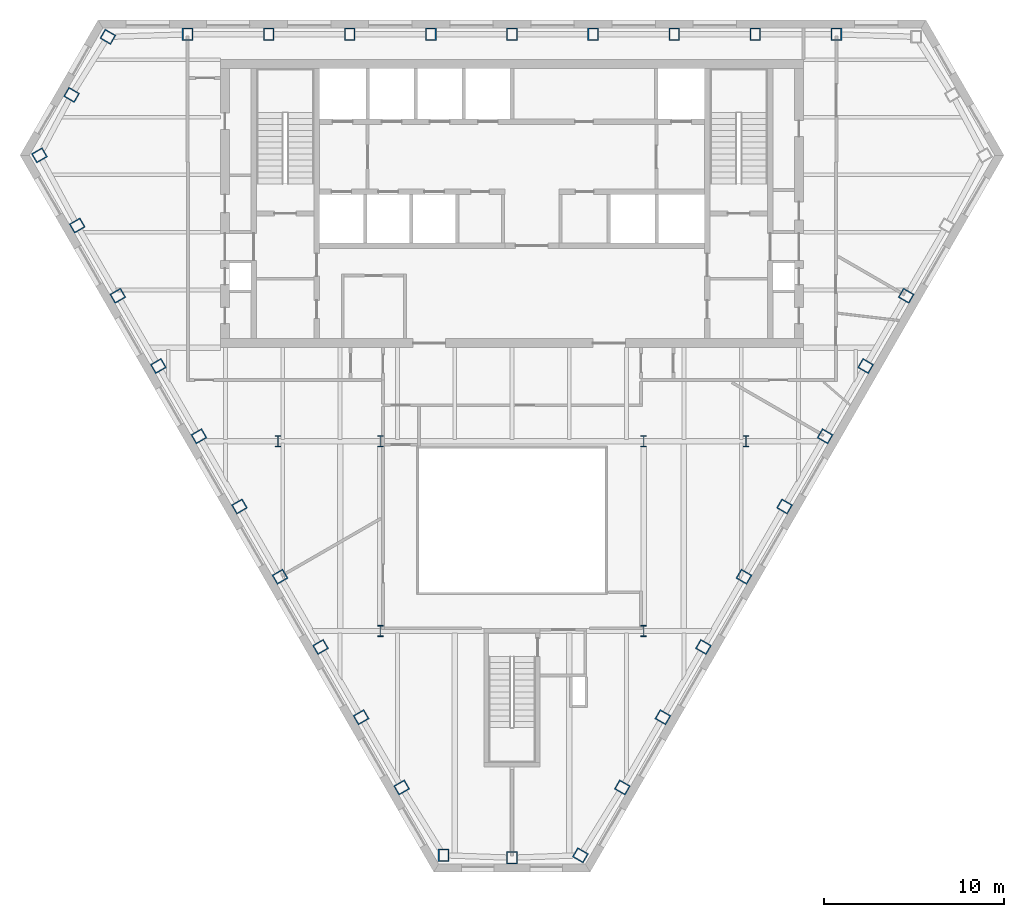
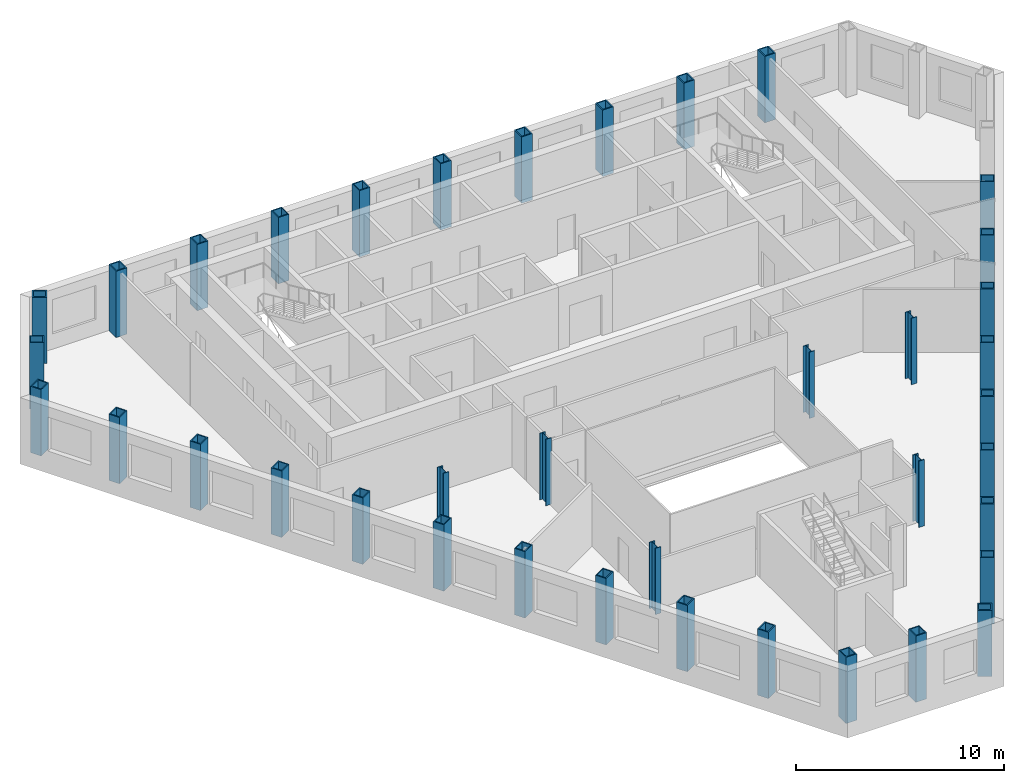
# One storey, part 1 of 10: 38 columns.
"""IFC4 building model written with IfcOpenShell, lengths in metres."""

import ifcopenshell
import ifcopenshell.guid

model = None  # the IFC model being written
_history = None  # IfcOwnerHistory: only IFC2X3 demands one
_inside = {}  # id of a spatial element -> (the spatial element, [elements in it])
_under = {}  # id of a project, library or spatial element -> (it, [spatial elements below it])
_declared = {}  # id of a project -> (the project, [libraries it declares])
_typed = {}  # id of a type object -> (the type object, [elements of that type])
_made_of = {}  # id of a material, layer set ... -> (it, [elements and type objects made of it])


def new_model(schema):
    """Start an empty IFC model of exactly this schema.

    Asked for "IFC4X3", IfcOpenShell would pick the latest addendum, in which some entities
    have other attributes; the version numbers below select the first issue.
    IFC2X3 requires an IfcOwnerHistory on every rooted entity: one is made here for all.
    """
    global model, _history
    if schema == "IFC4X3":
        model = ifcopenshell.file(schema_version=(4, 3, 0, 0))
    else:
        model = ifcopenshell.file(schema=schema)
    _inside.clear()
    _under.clear()
    _declared.clear()
    _typed.clear()
    _made_of.clear()
    _history = None
    if model.schema == "IFC2X3":
        org = make("IfcOrganization", Name="unknown")
        user = make(
            "IfcPersonAndOrganization",
            ThePerson=make("IfcPerson", FamilyName="unknown"),
            TheOrganization=org,
        )
        app = make(
            "IfcApplication",
            ApplicationDeveloper=org,
            Version="unknown",
            ApplicationFullName="unknown",
            ApplicationIdentifier="unknown",
        )
        _history = make(
            "IfcOwnerHistory",
            OwningUser=user,
            OwningApplication=app,
            ChangeAction="ADDED",
            CreationDate=0,
        )
    return model


def make(cls, **values):
    """One entity of the class cls with the attributes given. An attribute that is None is left unset."""
    return model.create_entity(
        cls, **{name: value for name, value in values.items() if value is not None}
    )


def rooted(cls, **values):
    """An entity with a GlobalId (a new one), such as an element, a storey or a relation."""
    return make(cls, GlobalId=ifcopenshell.guid.new(), OwnerHistory=_history, **values)


def si_unit(unit_type, name, prefix=None):
    """IfcSIUnit, for example si_unit("LENGTHUNIT", "METRE", prefix="MILLI")."""
    return make("IfcSIUnit", UnitType=unit_type, Prefix=prefix, Name=name)


def assignment(units):
    """IfcUnitAssignment: the units of a project."""
    return None if units is None else make("IfcUnitAssignment", Units=units)


def point(xyz):
    """IfcCartesianPoint."""
    return None if xyz is None else make("IfcCartesianPoint", Coordinates=xyz)


def direction(xyz):
    """IfcDirection."""
    return None if xyz is None else make("IfcDirection", DirectionRatios=xyz)


def frame(location, z_axis=None, x_axis=None):
    """IfcAxis2Placement3D, a coordinate frame: its origin and axes. An axis left out is left unset."""
    return make(
        "IfcAxis2Placement3D",
        Location=point(location),
        Axis=direction(z_axis),
        RefDirection=direction(x_axis),
    )


def frame_2d(location, x_axis=None):
    """IfcAxis2Placement2D, a coordinate frame in the plane: its origin and x axis."""
    return make(
        "IfcAxis2Placement2D", Location=point(location), RefDirection=direction(x_axis)
    )


def origin():
    """The frame at (0, 0, 0) with its axes left unset."""
    return frame((0.0, 0.0, 0.0))


def origin_2d():
    """The frame at (0, 0) in the plane with its x axis left unset."""
    return frame_2d((0.0, 0.0))


def place(relative_to, where):
    """IfcLocalPlacement: puts the frame where relative to a parent placement (None: the world)."""
    return make(
        "IfcLocalPlacement", PlacementRelTo=relative_to, RelativePlacement=where
    )


def context(
    kind, dimensions, precision=None, world=None, true_north=None, identifier=None
):
    """IfcGeometricRepresentationContext, for example the 3D "Model" context."""
    return make(
        "IfcGeometricRepresentationContext",
        ContextIdentifier=identifier,
        ContextType=kind,
        CoordinateSpaceDimension=dimensions,
        Precision=precision,
        WorldCoordinateSystem=world,
        TrueNorth=true_north,
    )


def subcontext(parent, identifier, kind, view, scale=None):
    """IfcGeometricRepresentationSubContext, for example "Body" below "Model"."""
    return make(
        "IfcGeometricRepresentationSubContext",
        ContextIdentifier=identifier,
        ContextType=kind,
        ParentContext=parent,
        TargetScale=scale,
        TargetView=view,
    )


def project(units=None, contexts=None):
    """IfcProject with its units and contexts."""
    return rooted(
        "IfcProject",
        Name="project",
        RepresentationContexts=contexts,
        UnitsInContext=assignment(units),
    )


def spatial(cls, under=None, at=None, **own):
    """A site, building, storey or space (cls), placed at a placement, below another one or the project."""
    s = rooted(cls, ObjectPlacement=at, **own)
    if under is not None:
        _under.setdefault(under.id(), (under, []))[1].append(s)
    return s


def profile(cls, at=None, kind="AREA", **sizes):
    """A parametric profile (cls). Its sizes go by their IFC names, for example OverallWidth=200.0."""
    return make(cls, ProfileType=kind, Position=at, **sizes)


def hollow_rectangle(**sizes):
    """IfcRectangleHollowProfileDef."""
    return profile("IfcRectangleHollowProfileDef", **sizes)


def i_section(**sizes):
    """IfcIShapeProfileDef."""
    return profile("IfcIShapeProfileDef", **sizes)


def extrude(swept, where, along, depth):
    """IfcExtrudedAreaSolid: the profile swept, set in the frame where, extruded along a direction by depth."""
    return make(
        "IfcExtrudedAreaSolid",
        SweptArea=swept,
        Position=where,
        ExtrudedDirection=direction(along),
        Depth=depth,
    )


def shape(context_of_items, identifier, shape_type, items):
    """IfcShapeRepresentation: the items that make up one representation, for example the "Body"."""
    return make(
        "IfcShapeRepresentation",
        ContextOfItems=context_of_items,
        RepresentationIdentifier=identifier,
        RepresentationType=shape_type,
        Items=items,
    )


def material(Name=None, Category=None):
    """IfcMaterial."""
    return make("IfcMaterial", Name=Name, Category=Category)


def material_profile(
    of_material, cross_section, Name=None, Category=None, Priority=None
):
    """IfcMaterialProfile: a cross section and its material."""
    return make(
        "IfcMaterialProfile",
        Name=Name,
        Material=of_material,
        Profile=cross_section,
        Priority=Priority,
        Category=Category,
    )


def profile_set(profiles, Name=None, composite=None):
    """IfcMaterialProfileSet."""
    return make(
        "IfcMaterialProfileSet",
        Name=Name,
        MaterialProfiles=profiles,
        CompositeProfile=composite,
    )


def made_of(thing, what):
    """Note that an element or type object is made of a material, layer set ...; save() writes the relation."""
    if what is not None:
        _made_of.setdefault(what.id(), (what, []))[1].append(thing)
    return thing


def type_object(cls, material=None, **own):
    """A type object (cls), such as IfcWallType, which elements share."""
    return made_of(rooted(cls, **own), material)


def element(
    cls,
    number,
    at=None,
    inside=None,
    cuts=None,
    type_object=None,
    material=None,
    context=None,
    identifier="Body",
    shape_type=None,
    held_by="IfcProductDefinitionShape",
    body=None,
    shapes=None,
    **own,
):
    """One element of the class cls, such as IfcWall. Its Tag is "e" and its number.

    at: its placement. inside: the storey or other place that contains it. cuts: it is an
    opening in that element (IfcRelVoidsElement). A single representation is given by context,
    identifier, shape_type and body (its items); several are given by shapes. held_by: the class
    of the entity that holds the representations. save() writes the other relations.
    """
    e = rooted(cls, Tag="e%d" % number, ObjectPlacement=at, **own)
    if body is not None:
        shapes = [shape(context, identifier, shape_type, body)]
    if shapes is not None:
        e.Representation = make(held_by, Representations=shapes)
    if inside is not None:
        _inside.setdefault(inside.id(), (inside, []))[1].append(e)
    if cuts is not None:
        rooted(
            "IfcRelVoidsElement", RelatingBuildingElement=cuts, RelatedOpeningElement=e
        )
    if type_object is not None:
        _typed.setdefault(type_object.id(), (type_object, []))[1].append(e)
    return made_of(e, material)


def aggregate(whole, parts):
    """IfcRelAggregates: a whole, such as a stair, and the parts it consists of."""
    return rooted("IfcRelAggregates", RelatingObject=whole, RelatedObjects=parts)


def save(model, path):
    """Write the relations noted so far, then the file.

    IfcRelAggregates (storeys below a building ...), IfcRelContainedInSpatialStructure (elements
    in a storey), IfcRelDefinesByType, IfcRelAssociatesMaterial and IfcRelDeclares: one each for
    every whole, place, type object, material and project.
    """
    for whole, parts in _under.values():
        aggregate(whole, parts)
    for where, things in _inside.values():
        rooted(
            "IfcRelContainedInSpatialStructure",
            RelatedElements=things,
            RelatingStructure=where,
        )
    for kind, things in _typed.values():
        rooted("IfcRelDefinesByType", RelatedObjects=things, RelatingType=kind)
    for what, things in _made_of.values():
        rooted("IfcRelAssociatesMaterial", RelatedObjects=things, RelatingMaterial=what)
    for by, libraries in _declared.values():
        rooted("IfcRelDeclares", RelatingContext=by, RelatedDefinitions=libraries)
    model.write(path)


model = new_model("IFC4")

# Units and contexts
model_context = context("Model", 3, precision=1e-05, world=origin(), true_north=direction((0.0, 1.0)))
body_context = subcontext(model_context, "Body", "Model", "MODEL_VIEW")
ifc_project = project(units=[si_unit("LENGTHUNIT", "METRE"), si_unit("AREAUNIT", "SQUARE_METRE"), si_unit("VOLUMEUNIT", "CUBIC_METRE"), si_unit("PLANEANGLEUNIT", "RADIAN"), si_unit("MASSUNIT", "GRAM", prefix="KILO")], contexts=[model_context])

# Site, building, storey
site_placement = place(None, origin())
site = spatial("IfcSite", under=ifc_project, at=site_placement, CompositionType="ELEMENT")
building_placement = place(site_placement, origin())
building = spatial("IfcBuilding", under=site, at=building_placement, Name="Njiva Tower", CompositionType="ELEMENT")
storey_placement = place(building_placement, frame((0.0, 0.0, 155.4)))
storey = spatial("IfcBuildingStorey", under=building, at=storey_placement, Name="L33", CompositionType="ELEMENT", Elevation=155.4)

# Columns
ifc_material = material(Name="Steel S355 J2", Category="steel")
ifc_material_profile_1 = material_profile(ifc_material, i_section(OverallWidth=0.305, OverallDepth=0.62, WebThickness=0.021, FlangeThickness=0.04, at=origin_2d()), Name="HEM 600")
ifc_profile_set_1 = profile_set([ifc_material_profile_1], Name="Steel S355 J2")
column_type_1 = type_object("IfcColumnType", Name="C10 Interior column HEM 600", PredefinedType="COLUMN", material=ifc_profile_set_1)
for number, where, z_axis, x_axis, name in (
    (1, (7.32, -3.2, 0.0), (0.0, 0.0, 1.0), (1.0, 0.0, 0.0), "Interior column S11-C37"),
    (2, (-7.32, -3.2, 0.0), (0.0, 0.0, 1.0), (1.0, 0.0, 0.0), "Interior column S11-C38"),
    (3, (7.32, -13.75, 0.0), (0.0, 0.0, 1.0), (1.0, 0.0, 0.0), "Interior column S11-C39"),
    (4, (-7.32, -13.75, 0.0), (0.0, 0.0, 1.0), (1.0, 0.0, 0.0), "Interior column S11-C40"),
    (5, (13.0, -3.2, 0.0), (0.0, 0.0, 1.0), (1.0, 0.0, 0.0), "Interior column S11-C41"),
    (6, (-13.0, -3.2, 0.0), (0.0, 0.0, 1.0), (1.0, 0.0, 0.0), "Interior column S11-C42"),
):
    element("IfcColumn", number, at=place(storey_placement, frame(where, z_axis=z_axis, x_axis=x_axis)), inside=storey, type_object=column_type_1, Name=name, PredefinedType="COLUMN", context=body_context, shape_type="SweptSolid", body=[
        extrude(i_section(OverallWidth=0.305, OverallDepth=0.62, WebThickness=0.021, FlangeThickness=0.04, at=origin_2d()), origin(), (0.0, 0.0, 1.0), 3.9),
    ])
ifc_material_profile_2 = material_profile(ifc_material, hollow_rectangle(XDim=0.6, YDim=0.7, WallThickness=0.06, at=origin_2d()), Name="BOX 700x600x60")
ifc_profile_set_2 = profile_set([ifc_material_profile_2], Name="Steel S355 J2")
column_type_2 = type_object("IfcColumnType", Name="C9 Perimeter tube column BOX 700x600x60", PredefinedType="COLUMN", material=ifc_profile_set_2)
for number, where, z_axis, x_axis, name in (
    (7, (18.026, 19.4, 0.0), (0.0, 0.0, 1.0), (-1.0, 0.0, 0.0), "Perimeter tube column S11-C02"),
    (8, (13.52, 19.4, 0.0), (0.0, 0.0, 1.0), (-1.0, 0.0, 0.0), "Perimeter tube column S11-C03"),
    (9, (9.013, 19.4, 0.0), (0.0, 0.0, 1.0), (-1.0, 0.0, 0.0), "Perimeter tube column S11-C04"),
    (10, (4.507, 19.4, 0.0), (0.0, 0.0, 1.0), (-1.0, 0.0, 0.0), "Perimeter tube column S11-C05"),
    (11, (0.0, 19.4, 0.0), (0.0, 0.0, 1.0), (-1.0, 0.0, 0.0), "Perimeter tube column S11-C06"),
    (12, (-4.507, 19.4, 0.0), (0.0, 0.0, 1.0), (-1.0, 0.0, 0.0), "Perimeter tube column S11-C07"),
    (13, (-9.013, 19.4, 0.0), (0.0, 0.0, 1.0), (-1.0, 0.0, 0.0), "Perimeter tube column S11-C08"),
    (14, (-13.52, 19.4, 0.0), (0.0, 0.0, 1.0), (-1.0, 0.0, 0.0), "Perimeter tube column S11-C09"),
    (15, (-18.026, 19.4, 0.0), (0.0, 0.0, 1.0), (-1.0, 0.0, 0.0), "Perimeter tube column S11-C10"),
    (16, (-22.456, 19.267, 0.0), (0.0, 0.0, 1.0), (-0.5, -0.866025403784, 0.0), "Perimeter tube column S11-C11"),
    (17, (-24.472, 16.041, 0.0), (0.0, 0.0, 1.0), (-0.5, -0.866025403784, 0.0), "Perimeter tube column S11-C12"),
    (18, (-26.258, 12.683, 0.0), (0.0, 0.0, 1.0), (0.5, -0.866025403784, 0.0), "Perimeter tube column S11-C13"),
    (19, (-24.158, 8.78, 0.0), (0.0, 0.0, 1.0), (0.5, -0.866025403784, 0.0), "Perimeter tube column S11-C14"),
    (20, (-21.905, 4.877, 0.0), (0.0, 0.0, 1.0), (0.5, -0.866025403784, 0.0), "Perimeter tube column S11-C15"),
    (21, (-19.651, 0.974, 0.0), (0.0, 0.0, 1.0), (0.5, -0.866025403784, 0.0), "Perimeter tube column S11-C16"),
    (22, (-17.398, -2.929, 0.0), (0.0, 0.0, 1.0), (0.5, -0.866025403784, 0.0), "Perimeter tube column S11-C17"),
    (23, (-15.145, -6.831, 0.0), (0.0, 0.0, 1.0), (0.5, -0.866025403784, 0.0), "Perimeter tube column S11-C18"),
    (24, (-12.891, -10.734, 0.0), (0.0, 0.0, 1.0), (0.5, -0.866025403784, 0.0), "Perimeter tube column S11-C19"),
    (25, (-10.638, -14.637, 0.0), (0.0, 0.0, 1.0), (0.5, -0.866025403784, 0.0), "Perimeter tube column S11-C20"),
    (26, (-8.385, -18.54, 0.0), (0.0, 0.0, 1.0), (0.5, -0.866025403784, 0.0), "Perimeter tube column S11-C21"),
    (27, (-6.131, -22.443, 0.0), (0.0, 0.0, 1.0), (0.5, -0.866025403784, 0.0), "Perimeter tube column S11-C22"),
    (28, (-3.801, -26.212, 0.0), (0.0, 0.0, 1.0), (1.0, 0.0, 0.0), "Perimeter tube column S11-C23"),
    (29, (0.0, -26.346, 0.0), (0.0, 0.0, 1.0), (1.0, 0.0, 0.0), "Perimeter tube column S11-C24"),
    (30, (3.801, -26.212, 0.0), (0.0, 0.0, 1.0), (0.5, 0.866025403784, 0.0), "Perimeter tube column S11-C25"),
    (31, (6.131, -22.443, 0.0), (0.0, 0.0, 1.0), (0.5, 0.866025403784, 0.0), "Perimeter tube column S11-C26"),
    (32, (8.385, -18.54, 0.0), (0.0, 0.0, 1.0), (0.5, 0.866025403784, 0.0), "Perimeter tube column S11-C27"),
    (33, (10.638, -14.637, 0.0), (0.0, 0.0, 1.0), (0.5, 0.866025403784, 0.0), "Perimeter tube column S11-C28"),
    (34, (12.891, -10.734, 0.0), (0.0, 0.0, 1.0), (0.5, 0.866025403784, 0.0), "Perimeter tube column S11-C29"),
    (35, (15.145, -6.831, 0.0), (0.0, 0.0, 1.0), (0.5, 0.866025403784, 0.0), "Perimeter tube column S11-C30"),
    (36, (17.398, -2.929, 0.0), (0.0, 0.0, 1.0), (0.5, 0.866025403784, 0.0), "Perimeter tube column S11-C31"),
    (37, (19.651, 0.974, 0.0), (0.0, 0.0, 1.0), (0.5, 0.866025403784, 0.0), "Perimeter tube column S11-C32"),
    (38, (21.905, 4.877, 0.0), (0.0, 0.0, 1.0), (0.5, 0.866025403784, 0.0), "Perimeter tube column S11-C33"),
):
    element("IfcColumn", number, at=place(storey_placement, frame(where, z_axis=z_axis, x_axis=x_axis)), inside=storey, type_object=column_type_2, Name=name, PredefinedType="COLUMN", context=body_context, shape_type="SweptSolid", body=[
        extrude(hollow_rectangle(XDim=0.6, YDim=0.7, WallThickness=0.06, at=origin_2d()), origin(), (0.0, 0.0, 1.0), 3.9),
    ])

save(model, "model.ifc")
